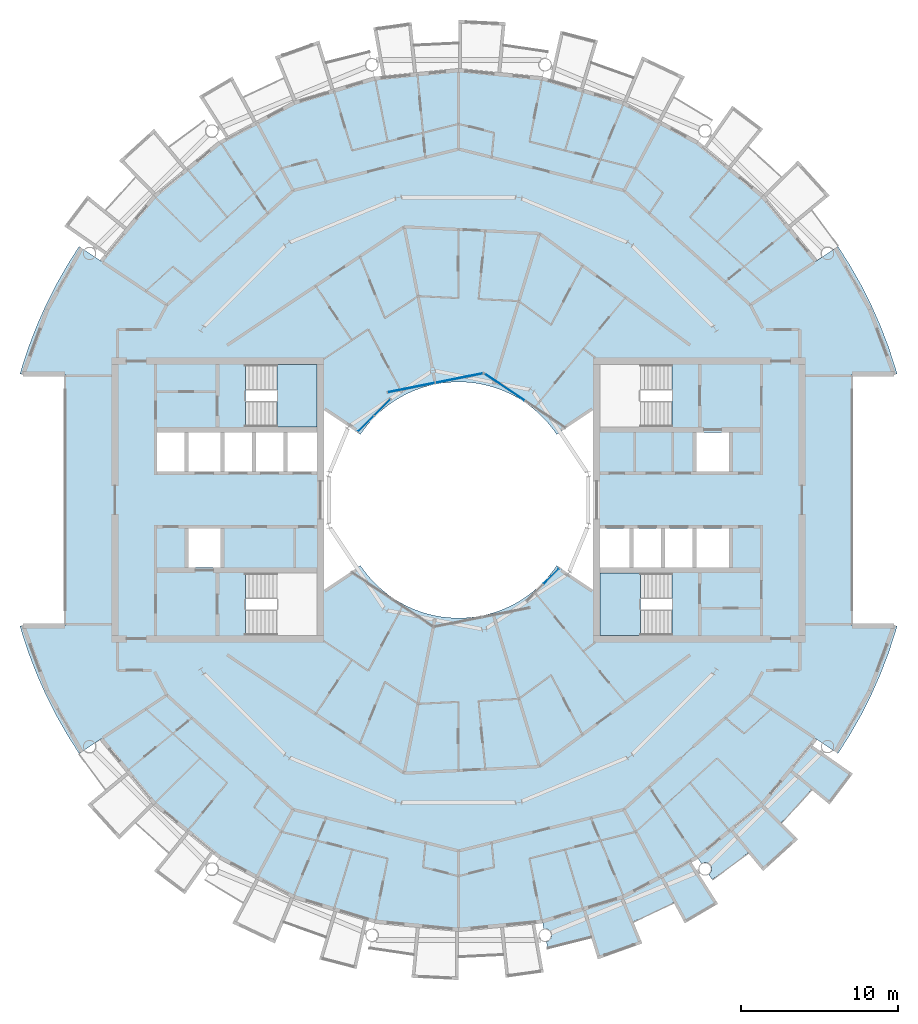
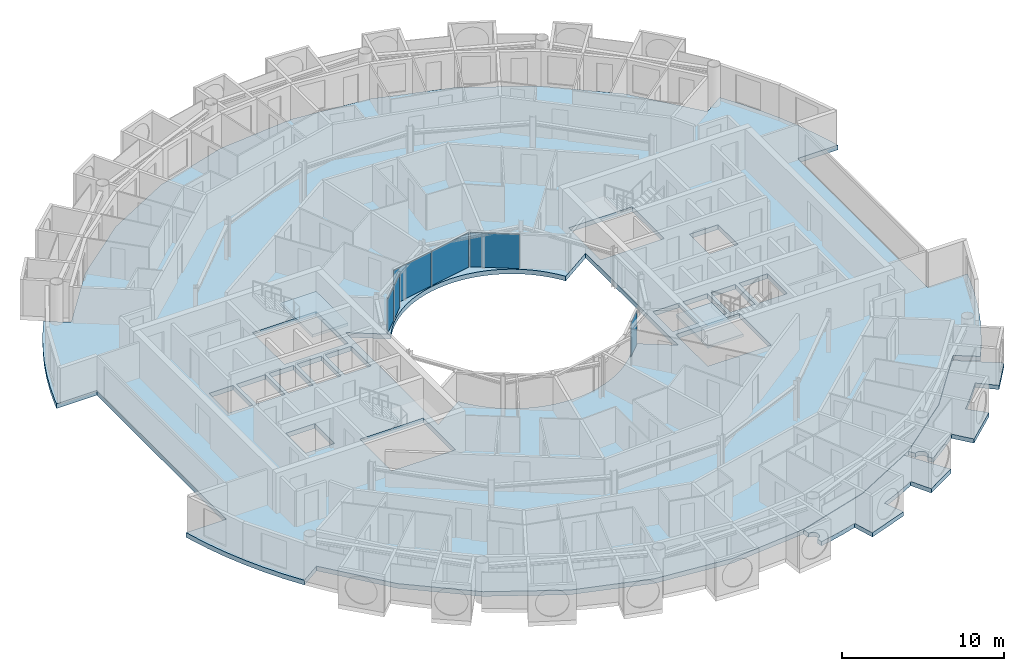
# One storey, part 12 of 29: 6 plates, 5 slabs, 6 elements without a shape of their own.
"""IFC4 building model written with IfcOpenShell, lengths in metres."""

from ifc_helpers import new_model, si_unit, direction, frame, origin, origin_2d, place, context, subcontext, project, spatial, polyline, rectangle, outline, extrude, material, layer, layer_set, type_object, element, aggregate, save


model = new_model("IFC4")

# Units and contexts
model_context = context("Model", 3, precision=1e-05, world=origin(), true_north=direction((0.0, 1.0)))
body_context = subcontext(model_context, "Body", "Model", "MODEL_VIEW")
ifc_project = project(units=[si_unit("LENGTHUNIT", "METRE"), si_unit("AREAUNIT", "SQUARE_METRE"), si_unit("VOLUMEUNIT", "CUBIC_METRE"), si_unit("PLANEANGLEUNIT", "RADIAN"), si_unit("MASSUNIT", "GRAM", prefix="KILO")], contexts=[model_context])

# Site, building, storey
site_placement = place(None, origin())
site = spatial("IfcSite", under=ifc_project, at=site_placement, CompositionType="ELEMENT")
building_placement = place(site_placement, origin())
building = spatial("IfcBuilding", under=site, at=building_placement, Name="Maasbend Ring Residences", CompositionType="ELEMENT")
storey_placement = place(building_placement, frame((0.0, 0.0, 193.25)))
storey = spatial("IfcBuildingStorey", under=building, at=storey_placement, Name="L55", CompositionType="ELEMENT", Elevation=193.25)

# Stair, slab
ifc_material_1 = material(Name="Concrete C40/50", Category="concrete")
stair_type = type_object("IfcStairType", Name="CORE STAIR 18 RISERS", PredefinedType="HALF_TURN_STAIR", material=ifc_material_1)
stair_1_placement = place(storey_placement, origin())
stair_1 = element("IfcStair", 1, at=stair_1_placement, inside=storey, type_object=stair_type, Name="L55 Exit stair ST-E2", PredefinedType="HALF_TURN_STAIR")
ifc_material_2 = material(Name="Concrete C40/50", Category="concrete")
ifc_layer_1 = layer(ifc_material_2, 0.199951171875)
ifc_layer_set_1 = layer_set([ifc_layer_1], Name="Concrete C40/50")
slab_type_1 = type_object("IfcSlabType", Name="CORE STAIR LANDING 200", PredefinedType="LANDING", material=ifc_layer_set_1)
slab_1_placement = place(storey_placement, frame((0.0, 0.0, 1.324951171875)))
slab_1 = element("IfcSlab", 2, at=slab_1_placement, type_object=slab_type_1, Name="ST-E2 landing 1", PredefinedType="LANDING", context=body_context, shape_type="SweptSolid", body=[
    extrude(outline(polyline([(11.550048828125, -4.64990234375), (9.0, -4.64990234375), (9.0, -8.60009765625), (11.550048828125, -8.60009765625), (11.550048828125, -4.64990234375)])), origin(), (0.0, 0.0, 1.0), 0.199951171875),
])
aggregate(stair_1, [slab_1])

stair_2_placement = place(storey_placement, origin())
stair_2 = element("IfcStair", 3, at=stair_2_placement, inside=storey, type_object=stair_type, Name="L55 Exit stair ST-W2", PredefinedType="HALF_TURN_STAIR")
slab_2_placement = place(storey_placement, frame((0.0, 0.0, 1.324951171875)))
slab_2 = element("IfcSlab", 4, at=slab_2_placement, type_object=slab_type_1, Name="ST-W2 landing 1", PredefinedType="LANDING", context=body_context, shape_type="SweptSolid", body=[
    extrude(outline(polyline([(-11.550048828125, 4.64990234375), (-9.0, 4.64990234375), (-9.0, 8.60009765625), (-11.550048828125, 8.60009765625), (-11.550048828125, 4.64990234375)])), origin(), (0.0, 0.0, 1.0), 0.199951171875),
])
aggregate(stair_2, [slab_2])

# Curtain wall, plate
ifc_material_3 = material(Name="Aluminium and clear glass", Category="aluminium")
ifc_layer_2 = layer(ifc_material_3, 0.179931640625)
ifc_layer_set_2 = layer_set([ifc_layer_2], Name="CW-W")
curtain_wall_type = type_object("IfcCurtainWallType", Name="CW-W", PredefinedType="NOTDEFINED", material=ifc_layer_set_2)
curtain_wall_1_placement = place(storey_placement, origin())
curtain_wall_1 = element("IfcCurtainWall", 5, at=curtain_wall_1_placement, inside=storey, type_object=curtain_wall_type, Name="Well curtain wall N1", PredefinedType="NOTDEFINED")
ifc_material_4 = material(Name="Glass clear laminated", Category="glass")
ifc_layer_3 = layer(ifc_material_4, 0.031982421875)
ifc_layer_set_3 = layer_set([ifc_layer_3], Name="CWP-W")
plate_type = type_object("IfcPlateType", Name="CWP-W", PredefinedType="CURTAIN_PANEL", material=ifc_layer_set_3)
plate_1_placement = place(storey_placement, frame((2.922119140625, 7.17578125, 0.0), z_axis=(0.0, 0.0, 1.0), x_axis=(-0.831469612303, 0.55557023302, 0.0)))
plate_1 = element("IfcPlate", 6, at=plate_1_placement, type_object=plate_type, Name="Glass panel well face", PredefinedType="CURTAIN_PANEL", context=body_context, shape_type="SweptSolid", body=[
    extrude(rectangle(XDim=3.053955078125, YDim=0.031982421875, at=origin_2d()), origin(), (0.0, 0.0, 1.0), 2.580078125),
])
aggregate(curtain_wall_1, [plate_1])

# Curtain wall, plates
curtain_wall_2_placement = place(storey_placement, origin())
curtain_wall_2 = element("IfcCurtainWall", 7, at=curtain_wall_2_placement, inside=storey, type_object=curtain_wall_type, Name="Well curtain wall N2", PredefinedType="NOTDEFINED")
plate_2_placement = place(storey_placement, frame((0.04638671875, 7.747802734375, 0.0), z_axis=(0.0, 0.0, 1.0), x_axis=(-0.980785280403, -0.195090322016, 0.0)))
plate_2 = element("IfcPlate", 8, at=plate_2_placement, type_object=plate_type, Name="Glass panel well face", PredefinedType="CURTAIN_PANEL", context=body_context, shape_type="SweptSolid", body=[
    extrude(rectangle(XDim=3.053955078125, YDim=0.031982421875, at=origin_2d()), origin(), (0.0, 0.0, 1.0), 2.580078125),
])
plate_3_placement = place(storey_placement, frame((-3.0078125, 7.140380859375, 0.0), z_axis=(0.0, 0.0, 1.0), x_axis=(-0.980785280403, -0.195090322016, 0.0)))
plate_3 = element("IfcPlate", 9, at=plate_3_placement, type_object=plate_type, Name="Glass panel well face", PredefinedType="CURTAIN_PANEL", context=body_context, shape_type="SweptSolid", body=[
    extrude(rectangle(XDim=3.053955078125, YDim=0.031982421875, at=origin_2d()), origin(), (0.0, 0.0, 1.0), 2.580078125),
])
aggregate(curtain_wall_2, [plate_2, plate_3])

curtain_wall_3_placement = place(storey_placement, origin())
curtain_wall_3 = element("IfcCurtainWall", 10, at=curtain_wall_3_placement, inside=storey, type_object=curtain_wall_type, Name="Well curtain wall N3", PredefinedType="NOTDEFINED")
plate_4_placement = place(storey_placement, frame((-4.84375, 5.89013671875, 0.0), z_axis=(0.0, 0.0, 1.0), x_axis=(-0.707106781187, -0.707106781187, 0.0)))
plate_4 = element("IfcPlate", 11, at=plate_4_placement, type_object=plate_type, Name="Glass panel well face", PredefinedType="CURTAIN_PANEL", context=body_context, shape_type="SweptSolid", body=[
    extrude(rectangle(XDim=1.419677734375, YDim=0.031982421875, at=origin_2d()), origin(), (0.0, 0.0, 1.0), 2.580078125),
])
plate_5_placement = place(storey_placement, frame((-5.89013671875, 4.84375, 0.0), z_axis=(0.0, 0.0, 1.0), x_axis=(-0.707106781187, -0.707106781187, 0.0)))
plate_5 = element("IfcPlate", 12, at=plate_5_placement, type_object=plate_type, Name="Glass panel well face", PredefinedType="CURTAIN_PANEL", context=body_context, shape_type="SweptSolid", body=[
    extrude(rectangle(XDim=1.419677734375, YDim=0.031982421875, at=origin_2d()), origin(), (0.0, 0.0, 1.0), 2.580078125),
])
aggregate(curtain_wall_3, [plate_4, plate_5])

# Curtain wall, plate
curtain_wall_4_placement = place(storey_placement, origin())
curtain_wall_4 = element("IfcCurtainWall", 13, at=curtain_wall_4_placement, inside=storey, type_object=curtain_wall_type, Name="Well curtain wall S3", PredefinedType="NOTDEFINED")
plate_6_placement = place(storey_placement, frame((5.89013671875, -4.84375, 0.0), z_axis=(0.0, 0.0, 1.0), x_axis=(0.707106781187, 0.707106781187, 0.0)))
plate_6 = element("IfcPlate", 14, at=plate_6_placement, type_object=plate_type, Name="Glass panel well face", PredefinedType="CURTAIN_PANEL", context=body_context, shape_type="SweptSolid", body=[
    extrude(rectangle(XDim=1.419677734375, YDim=0.031982421875, at=origin_2d()), origin(), (0.0, 0.0, 1.0), 2.580078125),
])
aggregate(curtain_wall_4, [plate_6])

# Slabs
ifc_material_5 = material(Name="Concrete C40/50", Category="concrete")
ifc_layer_4 = layer(ifc_material_5, 0.35009765625)
ifc_layer_set_4 = layer_set([ifc_layer_4], Name="Concrete C40/50")
slab_type_2 = type_object("IfcSlabType", Name="Post-tensioned flat plate 350", PredefinedType="FLOOR", material=ifc_layer_set_4)
slab_3_placement = place(storey_placement, frame((0.0, 0.0, -0.35009765625)))
element("IfcSlab", 15, at=slab_3_placement, inside=storey, type_object=slab_type_2, Name="Floor slab L55", PredefinedType="FLOOR", context=body_context, shape_type="SweptSolid", body=[
    extrude(outline(polyline([(24.8740234375, -14.908935546875), (25.57568359375, -13.67041015625), (26.2158203125, -12.399169921875), (26.79248046875, -11.097900390625), (27.3046875, -9.769775390625), (27.751220703125, -8.418212890625), (27.866943359375, -8.0), (25.0, -8.0), (25.0, 8.0), (27.866943359375, 8.0), (27.751220703125, 8.418212890625), (27.3046875, 9.769775390625), (26.79248046875, 11.097900390625), (26.2158203125, 12.399169921875), (25.57568359375, 13.67041015625), (24.8740234375, 14.908935546875), (24.112548828125, 16.111572265625), (22.69921875, 15.1669921875), (19.303955078125, 19.303955078125), (15.1669921875, 22.69921875), (10.447265625, 25.221923828125), (5.325927734375, 26.775390625), (0.0, 27.300048828125), (-5.325927734375, 26.775390625), (-10.447265625, 25.221923828125), (-15.1669921875, 22.69921875), (-19.303955078125, 19.303955078125), (-22.69921875, 15.1669921875), (-24.112548828125, 16.111572265625), (-24.8740234375, 14.908935546875), (-25.57568359375, 13.67041015625), (-26.2158203125, 12.399169921875), (-26.79248046875, 11.097900390625), (-27.3046875, 9.769775390625), (-27.751220703125, 8.418212890625), (-27.866943359375, 8.0), (-25.0, 8.0), (-25.0, -8.0), (-27.866943359375, -8.0), (-27.751220703125, -8.418212890625), (-27.3046875, -9.769775390625), (-26.79248046875, -11.097900390625), (-26.2158203125, -12.399169921875), (-25.57568359375, -13.67041015625), (-24.8740234375, -14.908935546875), (-24.112548828125, -16.111572265625), (-22.69921875, -15.1669921875), (-19.303955078125, -19.303955078125), (-15.1669921875, -22.69921875), (-10.447265625, -25.221923828125), (-5.325927734375, -26.775390625), (0.0, -27.300048828125), (5.325927734375, -26.775390625), (10.447265625, -25.221923828125), (15.1669921875, -22.69921875), (19.303955078125, -19.303955078125), (22.69921875, -15.1669921875), (24.112548828125, -16.111572265625), (24.8740234375, -14.908935546875)]), holes=[polyline([(15.125, 1.824951171875), (15.125, 4.27490234375), (17.175048828125, 4.27490234375), (17.175048828125, 1.824951171875), (15.125, 1.824951171875)]), polyline([(15.125, -4.27490234375), (15.125, -1.824951171875), (17.175048828125, -1.824951171875), (17.175048828125, -4.27490234375), (15.125, -4.27490234375)]), polyline([(13.125, -4.27490234375), (13.125, -1.824951171875), (14.875, -1.824951171875), (14.875, -4.27490234375), (13.125, -4.27490234375)]), polyline([(13.550048828125, 8.60009765625), (13.550048828125, 4.64990234375), (9.0, 4.64990234375), (9.0, 8.60009765625), (13.550048828125, 8.60009765625)]), polyline([(13.550048828125, -4.64990234375), (13.550048828125, -8.60009765625), (9.0, -8.60009765625), (9.0, -4.64990234375), (13.550048828125, -4.64990234375)]), polyline([(11.125, -4.27490234375), (11.125, -1.824951171875), (12.875, -1.824951171875), (12.875, -4.27490234375), (11.125, -4.27490234375)]), polyline([(9.0, -4.27490234375), (9.0, -1.824951171875), (10.875, -1.824951171875), (10.875, -4.27490234375), (9.0, -4.27490234375)]), polyline([(6.024169921875, 4.4677734375), (6.236083984375, 4.166748046875), (8.550048828125, 5.712890625), (8.550048828125, -5.712890625), (6.236083984375, -4.166748046875), (6.024169921875, -4.4677734375), (5.797607421875, -4.7578125), (5.55712890625, -5.03662109375), (5.30322265625, -5.30322265625), (5.03662109375, -5.55712890625), (4.7578125, -5.797607421875), (4.4677734375, -6.024169921875), (4.166748046875, -6.236083984375), (3.855712890625, -6.43310546875), (3.535400390625, -6.614501953125), (3.206787109375, -6.77978515625), (2.8701171875, -6.92919921875), (2.526611328125, -7.0615234375), (2.177001953125, -7.177001953125), (1.822509765625, -7.275146484375), (1.463134765625, -7.35595703125), (1.1005859375, -7.418701171875), (0.735107421875, -7.4638671875), (0.367919921875, -7.490966796875), (0.0, -7.5), (-0.367919921875, -7.490966796875), (-0.735107421875, -7.4638671875), (-1.1005859375, -7.418701171875), (-1.463134765625, -7.35595703125), (-1.822509765625, -7.275146484375), (-2.177001953125, -7.177001953125), (-2.526611328125, -7.0615234375), (-2.8701171875, -6.92919921875), (-3.206787109375, -6.77978515625), (-3.535400390625, -6.614501953125), (-3.855712890625, -6.43310546875), (-4.166748046875, -6.236083984375), (-4.4677734375, -6.024169921875), (-4.7578125, -5.797607421875), (-5.03662109375, -5.55712890625), (-5.30322265625, -5.30322265625), (-5.55712890625, -5.03662109375), (-5.797607421875, -4.7578125), (-6.024169921875, -4.4677734375), (-6.236083984375, -4.166748046875), (-8.550048828125, -5.712890625), (-8.550048828125, 5.712890625), (-6.236083984375, 4.166748046875), (-6.024169921875, 4.4677734375), (-5.797607421875, 4.7578125), (-5.55712890625, 5.03662109375), (-5.30322265625, 5.30322265625), (-5.03662109375, 5.55712890625), (-4.7578125, 5.797607421875), (-4.4677734375, 6.024169921875), (-4.166748046875, 6.236083984375), (-3.855712890625, 6.43310546875), (-3.535400390625, 6.614501953125), (-3.206787109375, 6.77978515625), (-2.8701171875, 6.92919921875), (-2.526611328125, 7.0615234375), (-2.177001953125, 7.177001953125), (-1.822509765625, 7.275146484375), (-1.463134765625, 7.35595703125), (-1.1005859375, 7.418701171875), (-0.735107421875, 7.4638671875), (-0.367919921875, 7.490966796875), (0.0, 7.5), (0.367919921875, 7.490966796875), (0.735107421875, 7.4638671875), (1.1005859375, 7.418701171875), (1.463134765625, 7.35595703125), (1.822509765625, 7.275146484375), (2.177001953125, 7.177001953125), (2.526611328125, 7.0615234375), (2.8701171875, 6.92919921875), (3.206787109375, 6.77978515625), (3.535400390625, 6.614501953125), (3.855712890625, 6.43310546875), (4.166748046875, 6.236083984375), (4.4677734375, 6.024169921875), (4.7578125, 5.797607421875), (5.03662109375, 5.55712890625), (5.30322265625, 5.30322265625), (5.55712890625, 5.03662109375), (5.797607421875, 4.7578125), (6.024169921875, 4.4677734375)]), polyline([(-13.550048828125, 4.64990234375), (-13.550048828125, 8.60009765625), (-9.0, 8.60009765625), (-9.0, 4.64990234375), (-13.550048828125, 4.64990234375)]), polyline([(-9.0, -8.60009765625), (-13.550048828125, -8.60009765625), (-13.550048828125, -4.64990234375), (-9.0, -4.64990234375), (-9.0, -8.60009765625)]), polyline([(-9.0, 4.27490234375), (-9.0, 1.824951171875), (-10.875, 1.824951171875), (-10.875, 4.27490234375), (-9.0, 4.27490234375)]), polyline([(-11.125, 4.27490234375), (-11.125, 1.824951171875), (-12.875, 1.824951171875), (-12.875, 4.27490234375), (-11.125, 4.27490234375)]), polyline([(-13.125, 4.27490234375), (-13.125, 1.824951171875), (-14.875, 1.824951171875), (-14.875, 4.27490234375), (-13.125, 4.27490234375)]), polyline([(-15.125, 4.27490234375), (-15.125, 1.824951171875), (-17.175048828125, 1.824951171875), (-17.175048828125, 4.27490234375), (-15.125, 4.27490234375)]), polyline([(-15.125, -1.824951171875), (-15.125, -4.27490234375), (-17.175048828125, -4.27490234375), (-17.175048828125, -1.824951171875), (-15.125, -1.824951171875)]), polyline([(-17.425048828125, 4.27490234375), (-17.425048828125, 1.824951171875), (-19.14990234375, 1.824951171875), (-19.14990234375, 4.27490234375), (-17.425048828125, 4.27490234375)])]), origin(), (0.0, 0.0, 1.0), 0.35009765625),
])
ifc_material_6 = material(Name="Concrete C40/50", Category="concrete")
ifc_layer_5 = layer(ifc_material_6, 0.199951171875)
ifc_layer_set_5 = layer_set([ifc_layer_5], Name="Concrete C40/50")
slab_type_3 = type_object("IfcSlabType", Name="SL-LOGGIA", PredefinedType="FLOOR", material=ifc_layer_set_5)
slab_4_placement = place(storey_placement, frame((0.0, 0.0, -0.35009765625)))
element("IfcSlab", 16, at=slab_4_placement, inside=storey, type_object=slab_type_3, Name="Loggia floor 2", PredefinedType="FLOOR", context=body_context, shape_type="SweptSolid", body=[
    extrude(outline(polyline([(10.447021484375, -25.221923828125), (12.806884765625, -23.9609375), (14.73291015625, -22.930908203125), (14.73291015625, -22.930908203125), (14.73291015625, -22.930908203125), (16.487060546875, -25.659912109375), (16.487060546875, -25.659912109375), (16.487060546875, -25.659912109375), (14.3779296875, -26.89892578125), (14.3779296875, -26.89892578125), (14.3779296875, -26.89892578125), (13.6708984375, -25.575927734375), (13.6708984375, -25.575927734375), (13.6708984375, -25.575927734375), (13.6708984375, -25.575927734375), (13.6708984375, -25.575927734375), (13.6708984375, -25.575927734375), (13.6708984375, -25.575927734375), (13.669921875, -25.575927734375), (13.669921875, -25.575927734375), (13.669921875, -25.575927734375), (13.669921875, -25.575927734375), (13.669921875, -25.575927734375), (13.669921875, -25.575927734375), (13.669921875, -25.575927734375), (13.669921875, -25.575927734375), (13.669921875, -25.575927734375), (13.669921875, -25.575927734375), (12.825927734375, -26.009033203125), (12.825927734375, -26.009033203125), (11.968994140625, -26.4150390625), (11.968994140625, -26.4150390625), (11.097900390625, -26.7919921875), (11.097900390625, -26.7919921875), (11.097900390625, -26.7919921875), (11.097900390625, -26.7919921875), (11.097900390625, -26.7919921875), (11.097900390625, -26.7919921875), (11.097900390625, -26.7919921875), (11.097900390625, -26.79296875), (11.097900390625, -26.79296875), (11.097900390625, -26.79296875), (11.097900390625, -26.79296875), (11.097900390625, -26.79296875), (11.097900390625, -26.79296875), (11.097900390625, -26.79296875), (11.097900390625, -26.79296875), (11.097900390625, -26.79296875), (11.097900390625, -26.79296875), (11.672119140625, -28.177978515625), (11.672119140625, -28.177978515625), (11.672119140625, -28.177978515625), (8.85400390625, -29.18701171875), (8.85400390625, -29.18701171875), (8.85400390625, -29.18701171875), (8.41796875, -27.751953125), (8.41796875, -27.751953125), (8.41796875, -27.751953125), (8.41796875, -27.751953125), (8.41796875, -27.751953125), (8.41796875, -27.751953125), (8.41796875, -27.751953125), (8.41796875, -27.7509765625), (8.41796875, -27.7509765625), (8.41796875, -27.7509765625), (8.41796875, -27.7509765625), (8.41796875, -27.7509765625), (8.41796875, -27.7509765625), (8.41796875, -27.7509765625), (8.41796875, -27.7509765625), (8.41796875, -27.7509765625), (8.41796875, -27.7509765625), (7.506103515625, -28.011962890625), (7.506103515625, -28.011962890625), (6.5849609375, -28.241943359375), (6.5849609375, -28.241943359375), (5.657958984375, -28.443115234375), (5.657958984375, -28.443115234375), (5.657958984375, -28.443115234375), (5.5810546875, -28.056884765625), (5.591064453125, -28.054931640625), (5.60009765625, -28.052001953125), (5.610107421875, -28.050048828125), (5.6201171875, -28.047119140625), (5.62890625, -28.0439453125), (5.637939453125, -28.041015625), (5.64794921875, -28.037109375), (5.656982421875, -28.033935546875), (5.666015625, -28.030029296875), (5.675048828125, -28.02587890625), (5.68408203125, -28.02099609375), (5.693115234375, -28.01708984375), (5.701904296875, -28.011962890625), (5.7099609375, -28.007080078125), (5.718994140625, -28.001953125), (5.72705078125, -27.99609375), (5.736083984375, -27.989990234375), (5.743896484375, -27.985107421875), (5.751953125, -27.97900390625), (5.759033203125, -27.971923828125), (5.76708984375, -27.966064453125), (5.77392578125, -27.958984375), (5.781982421875, -27.952880859375), (5.7890625, -27.946044921875), (5.7958984375, -27.93798828125), (5.802978515625, -27.930908203125), (5.80908203125, -27.924072265625), (5.81591796875, -27.916015625), (5.822021484375, -27.907958984375), (5.827880859375, -27.89990234375), (5.833984375, -27.89208984375), (5.839111328125, -27.884033203125), (5.844970703125, -27.8759765625), (5.85009765625, -27.866943359375), (5.85498046875, -27.85791015625), (5.860107421875, -27.85009765625), (5.864990234375, -27.841064453125), (5.868896484375, -27.83203125), (5.873046875, -27.822998046875), (5.876953125, -27.81396484375), (5.881103515625, -27.803955078125), (5.884033203125, -27.794921875), (5.886962890625, -27.785888671875), (5.889892578125, -27.77587890625), (5.89306640625, -27.76708984375), (5.89599609375, -27.757080078125), (5.89794921875, -27.7470703125), (5.89990234375, -27.737060546875), (5.902099609375, -27.72802734375), (5.904052734375, -27.718017578125), (5.905029296875, -27.7080078125), (5.906005859375, -27.697998046875), (5.906982421875, -27.68798828125), (5.907958984375, -27.677978515625), (5.907958984375, -27.66796875), (5.907958984375, -27.657958984375), (5.907958984375, -27.64794921875), (5.907958984375, -27.637939453125), (5.906982421875, -27.6279296875), (5.906005859375, -27.617919921875), (5.905029296875, -27.60791015625), (5.904052734375, -27.597900390625), (5.902099609375, -27.589111328125), (5.89990234375, -27.5791015625), (5.89794921875, -27.569091796875), (5.89599609375, -27.55908203125), (5.89306640625, -27.550048828125), (5.889892578125, -27.5400390625), (5.886962890625, -27.531005859375), (5.884033203125, -27.52099609375), (5.881103515625, -27.511962890625), (5.876953125, -27.5029296875), (5.873046875, -27.492919921875), (5.868896484375, -27.48388671875), (5.864990234375, -27.47509765625), (5.860107421875, -27.466064453125), (5.85498046875, -27.4580078125), (5.85009765625, -27.448974609375), (5.844970703125, -27.44091796875), (5.839111328125, -27.431884765625), (5.833984375, -27.424072265625), (5.827880859375, -27.416015625), (5.822021484375, -27.407958984375), (5.81591796875, -27.39990234375), (5.80908203125, -27.39306640625), (5.802978515625, -27.385009765625), (5.7958984375, -27.3779296875), (5.7890625, -27.37109375), (5.781982421875, -27.364013671875), (5.77392578125, -27.35693359375), (5.76708984375, -27.35009765625), (5.759033203125, -27.343994140625), (5.751953125, -27.337890625), (5.743896484375, -27.33203125), (5.736083984375, -27.325927734375), (5.72705078125, -27.320068359375), (5.718994140625, -27.31494140625), (5.7099609375, -27.30908203125), (5.701904296875, -27.303955078125), (5.693115234375, -27.300048828125), (5.68408203125, -27.294921875), (5.675048828125, -27.291015625), (5.666015625, -27.285888671875), (5.656982421875, -27.282958984375), (5.64794921875, -27.279052734375), (5.637939453125, -27.27490234375), (5.62890625, -27.27197265625), (5.6201171875, -27.26904296875), (5.610107421875, -27.26611328125), (5.60009765625, -27.263916015625), (5.591064453125, -27.260986328125), (5.5810546875, -27.259033203125), (5.571044921875, -27.258056640625), (5.56103515625, -27.256103515625), (5.551025390625, -27.2548828125), (5.541015625, -27.25390625), (5.531005859375, -27.2529296875), (5.52099609375, -27.251953125), (5.510986328125, -27.251953125), (5.501953125, -27.251953125), (5.491943359375, -27.251953125), (5.48193359375, -27.251953125), (5.471923828125, -27.2529296875), (5.4619140625, -27.25390625), (5.451904296875, -27.2548828125), (5.44189453125, -27.256103515625), (5.431884765625, -27.258056640625), (5.422119140625, -27.259033203125), (5.325927734375, -26.77490234375), (5.325927734375, -26.77490234375), (5.325927734375, -26.77490234375), (7.886962890625, -25.9990234375), (10.447021484375, -25.221923828125), (10.447021484375, -25.221923828125), (10.447021484375, -25.221923828125)])), origin(), (0.0, 0.0, 1.0), 0.320068359375),
])
slab_5_placement = place(storey_placement, frame((0.0, 0.0, -0.35009765625)))
element("IfcSlab", 17, at=slab_5_placement, inside=storey, type_object=slab_type_3, Name="Loggia floor 5", PredefinedType="FLOOR", context=body_context, shape_type="SweptSolid", body=[
    extrude(outline(polyline([(19.303955078125, -19.303955078125), (21.001953125, -17.236083984375), (22.386962890625, -15.547119140625), (22.386962890625, -15.547119140625), (22.386962890625, -15.547119140625), (25.051025390625, -17.39794921875), (25.051025390625, -17.39794921875), (25.051025390625, -17.39794921875), (23.576904296875, -19.34912109375), (23.576904296875, -19.34912109375), (23.576904296875, -19.34912109375), (22.41796875, -18.39794921875), (22.41796875, -18.39794921875), (22.41796875, -18.39794921875), (22.41796875, -18.39794921875), (22.41796875, -18.39794921875), (22.4169921875, -18.39794921875), (22.4169921875, -18.39794921875), (22.4169921875, -18.39794921875), (22.4169921875, -18.39794921875), (22.4169921875, -18.39794921875), (22.4169921875, -18.39794921875), (22.4169921875, -18.39794921875), (22.4169921875, -18.39794921875), (22.4169921875, -18.39794921875), (22.4169921875, -18.39794921875), (22.4169921875, -18.39794921875), (22.4169921875, -18.39794921875), (21.802978515625, -19.12109375), (21.802978515625, -19.12109375), (21.166015625, -19.823974609375), (21.166015625, -19.823974609375), (20.506103515625, -20.506103515625), (20.506103515625, -20.506103515625), (20.506103515625, -20.506103515625), (20.506103515625, -20.506103515625), (20.506103515625, -20.506103515625), (20.506103515625, -20.506103515625), (20.506103515625, -20.506103515625), (20.506103515625, -20.506103515625), (20.506103515625, -20.506103515625), (20.506103515625, -20.506103515625), (20.506103515625, -20.506103515625), (20.506103515625, -20.506103515625), (20.506103515625, -20.506103515625), (20.506103515625, -20.506103515625), (20.506103515625, -20.506103515625), (20.506103515625, -20.506103515625), (20.506103515625, -20.506103515625), (21.56689453125, -21.56689453125), (21.56689453125, -21.56689453125), (21.56689453125, -21.56689453125), (19.34912109375, -23.576904296875), (19.34912109375, -23.576904296875), (19.34912109375, -23.576904296875), (18.39794921875, -22.41796875), (18.39794921875, -22.41796875), (18.39794921875, -22.41796875), (18.39794921875, -22.41796875), (18.39794921875, -22.41796875), (18.39794921875, -22.41796875), (18.39697265625, -22.41796875), (18.39697265625, -22.41796875), (18.39697265625, -22.41796875), (18.39697265625, -22.41796875), (18.39697265625, -22.41796875), (18.39697265625, -22.41796875), (18.39697265625, -22.41796875), (18.39697265625, -22.41796875), (18.39697265625, -22.41796875), (18.39697265625, -22.41796875), (18.39697265625, -22.41796875), (17.654052734375, -23.007080078125), (17.654052734375, -23.007080078125), (16.89208984375, -23.572998046875), (16.89208984375, -23.572998046875), (16.112060546875, -24.113037109375), (16.112060546875, -24.113037109375), (16.112060546875, -24.113037109375), (15.89306640625, -23.784912109375), (15.89306640625, -23.784912109375), (15.90087890625, -23.780029296875), (15.908935546875, -23.77392578125), (15.9169921875, -23.76806640625), (15.925048828125, -23.761962890625), (15.93310546875, -23.7548828125), (15.93994140625, -23.7490234375), (15.947021484375, -23.741943359375), (15.955078125, -23.735107421875), (15.9619140625, -23.72802734375), (15.968017578125, -23.719970703125), (15.97509765625, -23.712890625), (15.98095703125, -23.705078125), (15.988037109375, -23.697021484375), (15.993896484375, -23.68994140625), (15.9990234375, -23.680908203125), (16.0048828125, -23.673095703125), (16.010986328125, -23.6650390625), (16.01611328125, -23.656005859375), (16.02099609375, -23.64794921875), (16.02587890625, -23.638916015625), (16.030029296875, -23.6298828125), (16.034912109375, -23.62109375), (16.0390625, -23.612060546875), (16.04296875, -23.60302734375), (16.0458984375, -23.593994140625), (16.050048828125, -23.583984375), (16.052978515625, -23.574951171875), (16.055908203125, -23.56494140625), (16.05908203125, -23.555908203125), (16.06103515625, -23.5458984375), (16.06396484375, -23.535888671875), (16.06591796875, -23.527099609375), (16.068115234375, -23.51708984375), (16.069091796875, -23.507080078125), (16.071044921875, -23.4970703125), (16.072021484375, -23.487060546875), (16.072021484375, -23.47705078125), (16.072998046875, -23.467041015625), (16.072998046875, -23.45703125), (16.073974609375, -23.447021484375), (16.072998046875, -23.43701171875), (16.072998046875, -23.427001953125), (16.072021484375, -23.4169921875), (16.072021484375, -23.407958984375), (16.071044921875, -23.39794921875), (16.069091796875, -23.387939453125), (16.068115234375, -23.3779296875), (16.06591796875, -23.367919921875), (16.06396484375, -23.35791015625), (16.06103515625, -23.34912109375), (16.05908203125, -23.339111328125), (16.055908203125, -23.3291015625), (16.052978515625, -23.320068359375), (16.050048828125, -23.31005859375), (16.0458984375, -23.301025390625), (16.04296875, -23.2919921875), (16.0390625, -23.282958984375), (16.034912109375, -23.27392578125), (16.030029296875, -23.264892578125), (16.02587890625, -23.256103515625), (16.02099609375, -23.2470703125), (16.01611328125, -23.238037109375), (16.010986328125, -23.22998046875), (16.0048828125, -23.221923828125), (15.9990234375, -23.212890625), (15.993896484375, -23.205078125), (15.988037109375, -23.197021484375), (15.98095703125, -23.18994140625), (15.97509765625, -23.181884765625), (15.968017578125, -23.174072265625), (15.9619140625, -23.1669921875), (15.955078125, -23.159912109375), (15.947021484375, -23.153076171875), (15.93994140625, -23.14599609375), (15.93310546875, -23.139892578125), (15.925048828125, -23.133056640625), (15.9169921875, -23.126953125), (15.908935546875, -23.12109375), (15.90087890625, -23.114990234375), (15.89306640625, -23.10888671875), (15.885009765625, -23.10400390625), (15.8759765625, -23.09912109375), (15.866943359375, -23.093994140625), (15.85888671875, -23.089111328125), (15.85009765625, -23.083984375), (15.841064453125, -23.080078125), (15.83203125, -23.075927734375), (15.822998046875, -23.072021484375), (15.81298828125, -23.068115234375), (15.803955078125, -23.06494140625), (15.794921875, -23.06103515625), (15.784912109375, -23.05810546875), (15.77587890625, -23.055908203125), (15.76611328125, -23.052978515625), (15.756103515625, -23.051025390625), (15.74609375, -23.049072265625), (15.737060546875, -23.047119140625), (15.72705078125, -23.044921875), (15.717041015625, -23.0439453125), (15.70703125, -23.04296875), (15.697021484375, -23.0419921875), (15.68701171875, -23.041015625), (15.677001953125, -23.041015625), (15.6669921875, -23.041015625), (15.656982421875, -23.041015625), (15.64697265625, -23.041015625), (15.636962890625, -23.0419921875), (15.626953125, -23.04296875), (15.616943359375, -23.0439453125), (15.60693359375, -23.044921875), (15.597900390625, -23.047119140625), (15.587890625, -23.049072265625), (15.577880859375, -23.051025390625), (15.568115234375, -23.052978515625), (15.55908203125, -23.055908203125), (15.549072265625, -23.05810546875), (15.5400390625, -23.06103515625), (15.530029296875, -23.06494140625), (15.52099609375, -23.068115234375), (15.511962890625, -23.072021484375), (15.501953125, -23.075927734375), (15.492919921875, -23.080078125), (15.48388671875, -23.083984375), (15.47509765625, -23.089111328125), (15.467041015625, -23.093994140625), (15.4580078125, -23.09912109375), (15.449951171875, -23.10400390625), (15.44091796875, -23.10888671875), (15.44091796875, -23.10888671875), (15.1669921875, -22.698974609375), (15.1669921875, -22.698974609375), (15.1669921875, -22.698974609375), (17.236083984375, -21.001953125), (19.303955078125, -19.303955078125), (19.303955078125, -19.303955078125), (19.303955078125, -19.303955078125)])), origin(), (0.0, 0.0, 1.0), 0.320068359375),
])

save(model, "model.ifc")
